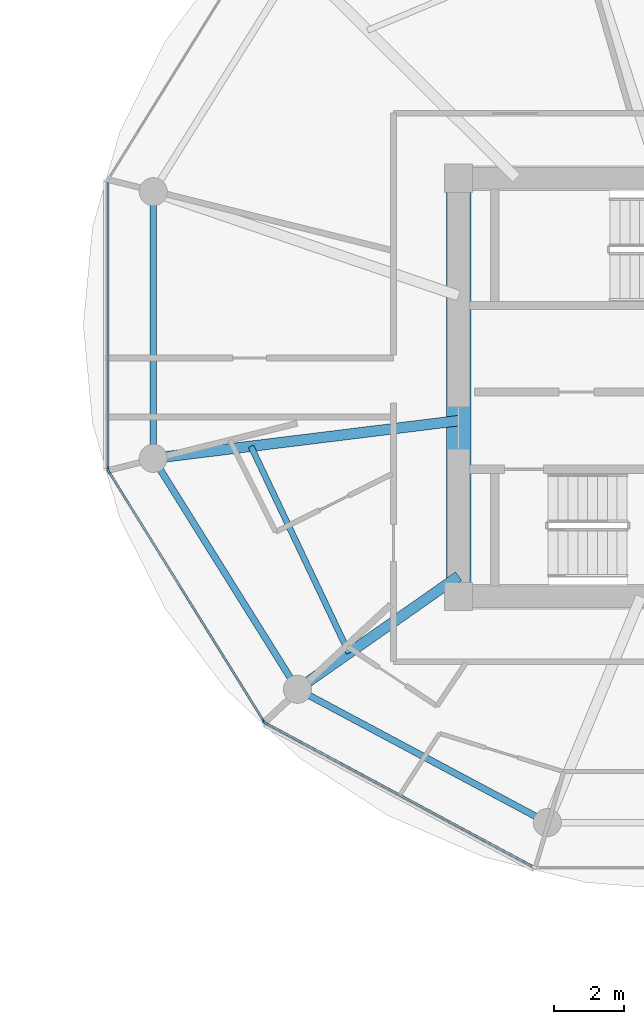
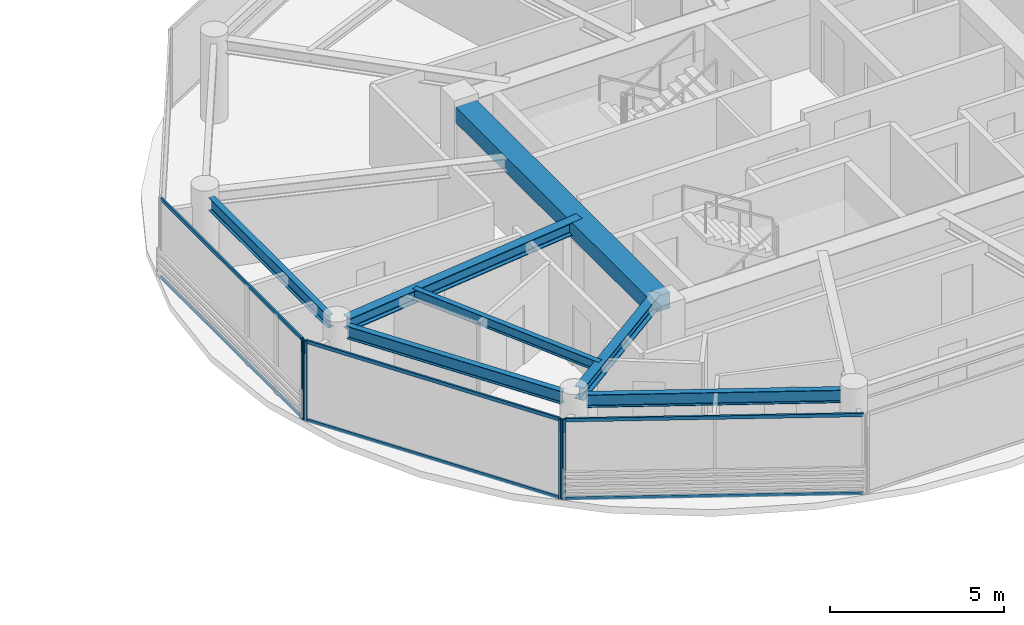
# One storey, part 6 of 22: 10 members, 7 beams, 3 elements without a shape of their own.
"""IFC4 building model written with IfcOpenShell, lengths in metres."""

from ifc_helpers import new_model, si_unit, direction, frame, origin, origin_2d, place, context, subcontext, project, spatial, rectangle, i_section, extrude, source, transform, mapped, material, layer, layer_set, material_profile, profile_set, type_object, type_shapes, element, aggregate, save


model = new_model("IFC4")

# Units and contexts
model_context = context("Model", 3, precision=1e-05, world=origin(), true_north=direction((0.0, 1.0)))
body_context = subcontext(model_context, "Body", "Model", "MODEL_VIEW")
ifc_project = project(units=[si_unit("LENGTHUNIT", "METRE"), si_unit("AREAUNIT", "SQUARE_METRE"), si_unit("VOLUMEUNIT", "CUBIC_METRE"), si_unit("PLANEANGLEUNIT", "RADIAN"), si_unit("MASSUNIT", "GRAM", prefix="KILO")], contexts=[model_context])

# Site, building, storey
site_placement = place(None, origin())
site = spatial("IfcSite", under=ifc_project, at=site_placement, CompositionType="ELEMENT")
building_placement = place(site_placement, origin())
building = spatial("IfcBuilding", under=site, at=building_placement, Name="Norrkilde Senior Care Towers", CompositionType="ELEMENT")
storey_placement = place(building_placement, frame((0.0, 0.0, 170.89990234375)))
storey = spatial("IfcBuildingStorey", under=building, at=storey_placement, Name="L53", CompositionType="ELEMENT", Elevation=170.89990234375)

# Beams
ifc_material_1 = material(Name="Concrete C60/75", Category="concrete")
ifc_material_profile_1 = material_profile(ifc_material_1, rectangle(XDim=0.699951171875, YDim=0.550048828125, at=origin_2d()), Name="RC BM 700x550")
ifc_profile_set_1 = profile_set([ifc_material_profile_1], Name="Concrete C60/75")
beam_type_1 = type_object("IfcBeamType", Name="Core Portal Coupling Beam 700x550", PredefinedType="USERDEFINED", material=ifc_profile_set_1)
shared_shape_1 = source(origin(), body_context, "Body", "SweptSolid", [
    extrude(rectangle(XDim=0.699951171875, YDim=0.550048828125, at=origin_2d()), origin(), (0.0, 0.0, 1.0), 11.14013671875),
])
type_shapes(beam_type_1, [shared_shape_1])
beam_1_placement = place(storey_placement, frame((20.35009765625, -5.570068359375, 2.53515625), z_axis=(0.0, 1.0, 0.0), x_axis=(-1.0, 0.0, 0.0)))
element("IfcBeam", 1, at=beam_1_placement, inside=storey, type_object=beam_type_1, Name="L53 Core E W Coupling Girder", ObjectType="GIRDER", PredefinedType="USERDEFINED", context=body_context, shape_type="MappedRepresentation", body=[
    mapped(shared_shape_1, transform((0.0, 0.0, 0.0), x_axis=(1.0, 0.0, 0.0), y_axis=(0.0, 1.0, 0.0), z_axis=(0.0, 0.0, 1.0), scale=1.0)),
])
ifc_material_2 = material(Name="Steel S355", Category="steel")
ifc_material_profile_2 = material_profile(ifc_material_2, i_section(OverallWidth=0.18994140625, OverallDepth=0.449951171875, WebThickness=0.009521484375, FlangeThickness=0.0146484375, FilletRadius=0.02099609375, at=origin_2d()), Name="IPE 450")
ifc_profile_set_2 = profile_set([ifc_material_profile_2], Name="Steel S355")
beam_type_2 = type_object("IfcBeamType", Name="Perimeter Ring Spandrel Z3 IPE450", PredefinedType="SPANDREL", material=ifc_profile_set_2)
shared_shape_2 = source(origin(), body_context, "Body", "SweptSolid", [
    extrude(i_section(OverallWidth=0.18994140625, OverallDepth=0.449951171875, WebThickness=0.009521484375, FlangeThickness=0.0146484375, FilletRadius=0.02099609375, at=origin_2d()), origin(), (0.0, 0.0, 1.0), 6.86328125),
])
beam_2_placement = place(storey_placement, frame((11.6650390625, 5.20703125, 2.585205078125), z_axis=(0.0, -1.0, 0.0), x_axis=(1.0, 0.0, 0.0)))
element("IfcBeam", 2, at=beam_2_placement, inside=storey, type_object=beam_type_2, Name="L53 Drum E Perimeter Spandrel 06", PredefinedType="SPANDREL", context=body_context, shape_type="MappedRepresentation", body=[
    mapped(shared_shape_2, transform((0.0, 0.0, 0.0), x_axis=(1.0, 0.0, 0.0), y_axis=(0.0, 1.0, 0.0), z_axis=(0.0, 0.0, 1.0), scale=1.0)),
])
shared_shape_3 = source(origin(), body_context, "Body", "SweptSolid", [
    extrude(i_section(OverallWidth=0.18994140625, OverallDepth=0.449951171875, WebThickness=0.009521484375, FlangeThickness=0.0146484375, FilletRadius=0.02099609375, at=origin_2d()), origin(), (0.0, 0.0, 1.0), 7.023193359375),
])
beam_3_placement = place(storey_placement, frame((11.855712890625, -2.32177734375, 2.585205078125), z_axis=(0.529805197269, -0.848119362441, 0.0), x_axis=(0.848119362441, 0.529805197269, 0.0)))
element("IfcBeam", 3, at=beam_3_placement, inside=storey, type_object=beam_type_2, Name="L53 Drum E Perimeter Spandrel 07", PredefinedType="SPANDREL", context=body_context, shape_type="MappedRepresentation", body=[
    mapped(shared_shape_3, transform((0.0, 0.0, 0.0), x_axis=(1.0, 0.0, 0.0), y_axis=(0.0, 1.0, 0.0), z_axis=(0.0, 0.0, 1.0), scale=1.0)),
])
shared_shape_4 = source(origin(), body_context, "Body", "SweptSolid", [
    extrude(i_section(OverallWidth=0.18994140625, OverallDepth=0.449951171875, WebThickness=0.009521484375, FlangeThickness=0.0146484375, FilletRadius=0.02099609375, at=origin_2d()), origin(), (0.0, 0.0, 1.0), 7.333984375),
])
type_shapes(beam_type_2, [shared_shape_2, shared_shape_3, shared_shape_4])
beam_4_placement = place(storey_placement, frame((16.0849609375, -8.753173828125, 2.585205078125), z_axis=(0.882234038987, -0.470811109101, 0.0), x_axis=(0.470811109101, 0.882234038987, 0.0)))
element("IfcBeam", 4, at=beam_4_placement, inside=storey, type_object=beam_type_2, Name="L53 Drum E Perimeter Spandrel 08", PredefinedType="SPANDREL", context=body_context, shape_type="MappedRepresentation", body=[
    mapped(shared_shape_4, transform((0.0, 0.0, 0.0), x_axis=(1.0, 0.0, 0.0), y_axis=(0.0, 1.0, 0.0), z_axis=(0.0, 0.0, 1.0), scale=1.0)),
])
ifc_material_profile_3 = material_profile(ifc_material_2, i_section(OverallWidth=0.300048828125, OverallDepth=0.449951171875, WebThickness=0.013916015625, FlangeThickness=0.02587890625, FilletRadius=0.027099609375, at=origin_2d()), Name="HEB 450")
ifc_profile_set_3 = profile_set([ifc_material_profile_3], Name="Steel S355")
beam_type_3 = type_object("IfcBeamType", Name="Radial Floor Beam Z3 HEB450", PredefinedType="BEAM", material=ifc_profile_set_3)
shared_shape_5 = source(origin(), body_context, "Body", "SweptSolid", [
    extrude(i_section(OverallWidth=0.300048828125, OverallDepth=0.449951171875, WebThickness=0.013916015625, FlangeThickness=0.02587890625, FilletRadius=0.027099609375, at=origin_2d()), origin(), (0.0, 0.0, 1.0), 5.23828125),
])
beam_5_placement = place(storey_placement, frame((20.35009765625, -5.3681640625, 2.585205078125), z_axis=(-0.818592061291, -0.574375345215, 0.0), x_axis=(0.574375345215, -0.818592061291, 0.0)))
element("IfcBeam", 5, at=beam_5_placement, inside=storey, type_object=beam_type_3, Name="L53 Drum E Radial Floor Beam 08", PredefinedType="BEAM", context=body_context, shape_type="MappedRepresentation", body=[
    mapped(shared_shape_5, transform((0.0, 0.0, 0.0), x_axis=(1.0, 0.0, 0.0), y_axis=(0.0, 1.0, 0.0), z_axis=(0.0, 0.0, 1.0), scale=1.0)),
])
shared_shape_6 = source(origin(), body_context, "Body", "SweptSolid", [
    extrude(i_section(OverallWidth=0.300048828125, OverallDepth=0.449951171875, WebThickness=0.013916015625, FlangeThickness=0.02587890625, FilletRadius=0.027099609375, at=origin_2d()), origin(), (0.0, 0.0, 1.0), 8.390869140625),
])
type_shapes(beam_type_3, [shared_shape_5, shared_shape_6])
beam_6_placement = place(storey_placement, frame((20.35009765625, -0.9443359375, 2.585205078125), z_axis=(-0.99246916403, -0.122494728249, 0.0), x_axis=(0.122494728249, -0.99246916403, 0.0)))
element("IfcBeam", 6, at=beam_6_placement, inside=storey, type_object=beam_type_3, Name="L53 Drum E Radial Floor Beam 07", PredefinedType="BEAM", context=body_context, shape_type="MappedRepresentation", body=[
    mapped(shared_shape_6, transform((0.0, 0.0, 0.0), x_axis=(1.0, 0.0, 0.0), y_axis=(0.0, 1.0, 0.0), z_axis=(0.0, 0.0, 1.0), scale=1.0)),
])
ifc_material_profile_4 = material_profile(ifc_material_2, i_section(OverallWidth=0.169921875, OverallDepth=0.360107421875, WebThickness=0.008056640625, FlangeThickness=0.0126953125, FilletRadius=0.01806640625, at=origin_2d()), Name="IPE 360")
ifc_profile_set_4 = profile_set([ifc_material_profile_4], Name="Steel S355")
beam_type_4 = type_object("IfcBeamType", Name="Secondary Floor Joist IPE360", PredefinedType="JOIST", material=ifc_profile_set_4)
shared_shape_7 = source(origin(), body_context, "Body", "SweptSolid", [
    extrude(i_section(OverallWidth=0.169921875, OverallDepth=0.360107421875, WebThickness=0.008056640625, FlangeThickness=0.0126953125, FilletRadius=0.01806640625, at=origin_2d()), origin(), (0.0, 0.0, 1.0), 6.50927734375),
])
type_shapes(beam_type_4, [shared_shape_7])
beam_7_placement = place(storey_placement, frame((14.4443359375, -1.67333984375, 2.630126953125), z_axis=(0.428544169129, -0.90352083269, 0.0), x_axis=(0.90352083269, 0.428544169129, 0.0)))
element("IfcBeam", 7, at=beam_7_placement, inside=storey, type_object=beam_type_4, Name="L53 Drum E Secondary Floor Joist 3", PredefinedType="JOIST", context=body_context, shape_type="MappedRepresentation", body=[
    mapped(shared_shape_7, transform((0.0, 0.0, 0.0), x_axis=(1.0, 0.0, 0.0), y_axis=(0.0, 1.0, 0.0), z_axis=(0.0, 0.0, 1.0), scale=1.0)),
])

# Curtain wall, member
ifc_material_3 = material(Name="Triple Low-E Insulated Glazing", Category="glass")
ifc_layer = layer(ifc_material_3, 0.18994140625)
ifc_layer_set = layer_set([ifc_layer], Name="Triple Low-E Insulated Glazing")
curtain_wall_type = type_object("IfcCurtainWallType", Name="CW4 Zone 3 Senior Residence Curtain Wall", PredefinedType="NOTDEFINED", material=ifc_layer_set)
curtain_wall_1_placement = place(storey_placement, origin())
curtain_wall_1 = element("IfcCurtainWall", 8, at=curtain_wall_1_placement, inside=storey, type_object=curtain_wall_type, Name="L53 Drum E Curtain Wall 05", PredefinedType="NOTDEFINED")
ifc_material_4 = material(Name="Anodised Aluminium", Category="aluminium")
ifc_material_profile_5 = material_profile(ifc_material_4, rectangle(XDim=0.06494140625, YDim=0.14990234375, at=origin_2d()), Name="ALU MULL 65x150")
ifc_profile_set_5 = profile_set([ifc_material_profile_5], Name="Anodised Aluminium")
member_type_1 = type_object("IfcMemberType", Name="Curtain Wall Mullion Z3-Z4 65x150", PredefinedType="MULLION", material=ifc_profile_set_5)
shared_shape_8 = source(origin(), body_context, "Body", "SweptSolid", [
    extrude(rectangle(XDim=0.06494140625, YDim=0.14990234375, at=origin_2d()), origin(), (0.0, 0.0, 1.0), 2.81005859375),
])
type_shapes(member_type_1, [shared_shape_8])
member_1_placement = place(storey_placement, frame((10.38037109375, -2.328125, 0.0), z_axis=(0.0, 0.0, 1.0), x_axis=(-1.0, 0.0, 0.0)))
member_1 = element("IfcMember", 9, at=member_1_placement, type_object=member_type_1, Name="CW-4 mullion 1", PredefinedType="MULLION", context=body_context, shape_type="MappedRepresentation", body=[
    mapped(shared_shape_8, transform((0.0, 0.0, 0.0), x_axis=(1.0, 0.0, 0.0), y_axis=(0.0, 1.0, 0.0), z_axis=(0.0, 0.0, 1.0), scale=1.0)),
])

# Curtain wall, members
curtain_wall_2_placement = place(storey_placement, origin())
curtain_wall_2 = element("IfcCurtainWall", 10, at=curtain_wall_2_placement, inside=storey, type_object=curtain_wall_type, Name="L53 Drum E Curtain Wall 06", PredefinedType="NOTDEFINED")
member_2_placement = place(storey_placement, frame((14.809814453125, -9.49658203125, 0.0), z_axis=(0.0, 0.0, 1.0), x_axis=(-0.84963405474, -0.52737270789, 0.0)))
member_2 = element("IfcMember", 11, at=member_2_placement, type_object=member_type_1, Name="CW-4 mullion 1", PredefinedType="MULLION", context=body_context, shape_type="MappedRepresentation", body=[
    mapped(shared_shape_8, transform((0.0, 0.0, 0.0), x_axis=(1.0, 0.0, 0.0), y_axis=(0.0, 1.0, 0.0), z_axis=(0.0, 0.0, 1.0), scale=1.0)),
])
member_3_placement = place(storey_placement, frame((10.3974609375, -2.38818359375, 0.0), z_axis=(0.0, 0.0, 1.0), x_axis=(-0.84963405474, -0.52737270789, 0.0)))
member_3 = element("IfcMember", 12, at=member_3_placement, type_object=member_type_1, Name="CW-4 mullion 2", PredefinedType="MULLION", context=body_context, shape_type="MappedRepresentation", body=[
    mapped(shared_shape_8, transform((0.0, 0.0, 0.0), x_axis=(1.0, 0.0, 0.0), y_axis=(0.0, 1.0, 0.0), z_axis=(0.0, 0.0, 1.0), scale=1.0)),
])

# Curtain wall, member
curtain_wall_3_placement = place(storey_placement, origin())
curtain_wall_3 = element("IfcCurtainWall", 13, at=curtain_wall_3_placement, inside=storey, type_object=curtain_wall_type, Name="L53 Drum E Curtain Wall 07", PredefinedType="NOTDEFINED")
member_4_placement = place(storey_placement, frame((14.85546875, -9.53955078125, 0.0), z_axis=(0.0, 0.0, 1.0), x_axis=(-0.47311715104, -0.880999524059, 0.0)))
member_4 = element("IfcMember", 14, at=member_4_placement, type_object=member_type_1, Name="CW-4 mullion 2", PredefinedType="MULLION", context=body_context, shape_type="MappedRepresentation", body=[
    mapped(shared_shape_8, transform((0.0, 0.0, 0.0), x_axis=(1.0, 0.0, 0.0), y_axis=(0.0, 1.0, 0.0), z_axis=(0.0, 0.0, 1.0), scale=1.0)),
])

# Member
ifc_material_profile_6 = material_profile(ifc_material_4, rectangle(XDim=0.06005859375, YDim=0.1201171875, at=origin_2d()), Name="ALU TRAN 60x120")
ifc_profile_set_6 = profile_set([ifc_material_profile_6], Name="Anodised Aluminium")
member_type_2 = type_object("IfcMemberType", Name="Curtain Wall Transom Typical 60x120", PredefinedType="USERDEFINED", material=ifc_profile_set_6)
shared_shape_9 = source(origin(), body_context, "Body", "SweptSolid", [
    extrude(rectangle(XDim=0.06005859375, YDim=0.1201171875, at=origin_2d()), origin(), (0.0, 0.0, 1.0), 8.301513671875),
])
member_5_placement = place(storey_placement, frame((14.792724609375, -9.468994140625, 0.030029296875), z_axis=(-0.527368718394, 0.849636531029, 0.0), x_axis=(-0.849636531029, -0.527368718394, 0.0)))
member_5 = element("IfcMember", 15, at=member_5_placement, type_object=member_type_2, Name="CW-4 transom 1.1", ObjectType="TRANSOM", PredefinedType="USERDEFINED", context=body_context, shape_type="MappedRepresentation", body=[
    mapped(shared_shape_9, transform((0.0, 0.0, 0.0), x_axis=(1.0, 0.0, 0.0), y_axis=(0.0, 1.0, 0.0), z_axis=(0.0, 0.0, 1.0), scale=1.0)),
])

member_6_placement = place(storey_placement, frame((14.792724609375, -9.468994140625, 2.780029296875), z_axis=(-0.527368718394, 0.849636531029, 0.0), x_axis=(-0.849636531029, -0.527368718394, 0.0)))
member_6 = element("IfcMember", 16, at=member_6_placement, type_object=member_type_2, Name="CW-4 transom 1.2", ObjectType="TRANSOM", PredefinedType="USERDEFINED", context=body_context, shape_type="MappedRepresentation", body=[
    mapped(shared_shape_9, transform((0.0, 0.0, 0.0), x_axis=(1.0, 0.0, 0.0), y_axis=(0.0, 1.0, 0.0), z_axis=(0.0, 0.0, 1.0), scale=1.0)),
])

aggregate(curtain_wall_2, [member_2, member_3, member_5, member_6])

shared_shape_10 = source(origin(), body_context, "Body", "SweptSolid", [
    extrude(rectangle(XDim=0.06005859375, YDim=0.1201171875, at=origin_2d()), origin(), (0.0, 0.0, 1.0), 8.61181640625),
])
member_7_placement = place(storey_placement, frame((22.47119140625, -13.62939453125, 0.030029296875), z_axis=(-0.880993991641, 0.473127452906, 0.0), x_axis=(-0.473127452906, -0.880993991641, 0.0)))
member_7 = element("IfcMember", 17, at=member_7_placement, type_object=member_type_2, Name="CW-4 transom 1.1", ObjectType="TRANSOM", PredefinedType="USERDEFINED", context=body_context, shape_type="MappedRepresentation", body=[
    mapped(shared_shape_10, transform((0.0, 0.0, 0.0), x_axis=(1.0, 0.0, 0.0), y_axis=(0.0, 1.0, 0.0), z_axis=(0.0, 0.0, 1.0), scale=1.0)),
])

member_8_placement = place(storey_placement, frame((22.47119140625, -13.62939453125, 2.780029296875), z_axis=(-0.880993991641, 0.473127452906, 0.0), x_axis=(-0.473127452906, -0.880993991641, 0.0)))
member_8 = element("IfcMember", 18, at=member_8_placement, type_object=member_type_2, Name="CW-4 transom 1.2", ObjectType="TRANSOM", PredefinedType="USERDEFINED", context=body_context, shape_type="MappedRepresentation", body=[
    mapped(shared_shape_10, transform((0.0, 0.0, 0.0), x_axis=(1.0, 0.0, 0.0), y_axis=(0.0, 1.0, 0.0), z_axis=(0.0, 0.0, 1.0), scale=1.0)),
])

aggregate(curtain_wall_3, [member_4, member_7, member_8])

shared_shape_11 = source(origin(), body_context, "Body", "SweptSolid", [
    extrude(rectangle(XDim=0.06005859375, YDim=0.1201171875, at=origin_2d()), origin(), (0.0, 0.0, 1.0), 8.141845703125),
])
type_shapes(member_type_2, [shared_shape_9, shared_shape_10, shared_shape_11])
member_9_placement = place(storey_placement, frame((10.38037109375, -2.295654296875, 0.030029296875), z_axis=(0.0, 1.0, 0.0), x_axis=(-1.0, 0.0, 0.0)))
member_9 = element("IfcMember", 19, at=member_9_placement, type_object=member_type_2, Name="CW-4 transom 1.1", ObjectType="TRANSOM", PredefinedType="USERDEFINED", context=body_context, shape_type="MappedRepresentation", body=[
    mapped(shared_shape_11, transform((0.0, 0.0, 0.0), x_axis=(1.0, 0.0, 0.0), y_axis=(0.0, 1.0, 0.0), z_axis=(0.0, 0.0, 1.0), scale=1.0)),
])

member_10_placement = place(storey_placement, frame((10.38037109375, -2.295654296875, 2.780029296875), z_axis=(0.0, 1.0, 0.0), x_axis=(-1.0, 0.0, 0.0)))
member_10 = element("IfcMember", 20, at=member_10_placement, type_object=member_type_2, Name="CW-4 transom 1.2", ObjectType="TRANSOM", PredefinedType="USERDEFINED", context=body_context, shape_type="MappedRepresentation", body=[
    mapped(shared_shape_11, transform((0.0, 0.0, 0.0), x_axis=(1.0, 0.0, 0.0), y_axis=(0.0, 1.0, 0.0), z_axis=(0.0, 0.0, 1.0), scale=1.0)),
])

aggregate(curtain_wall_1, [member_1, member_9, member_10])

save(model, "model.ifc")
